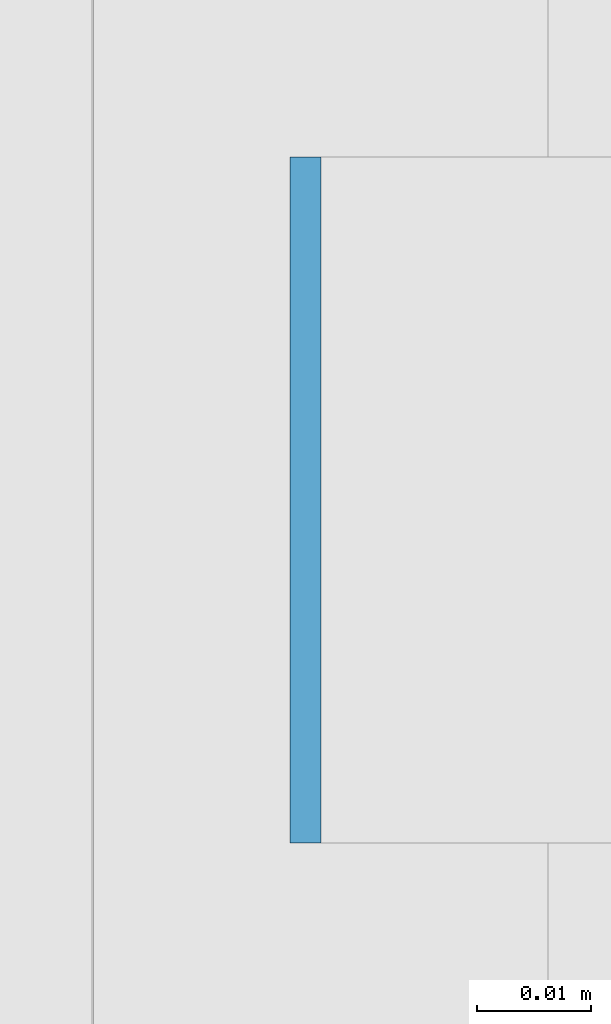
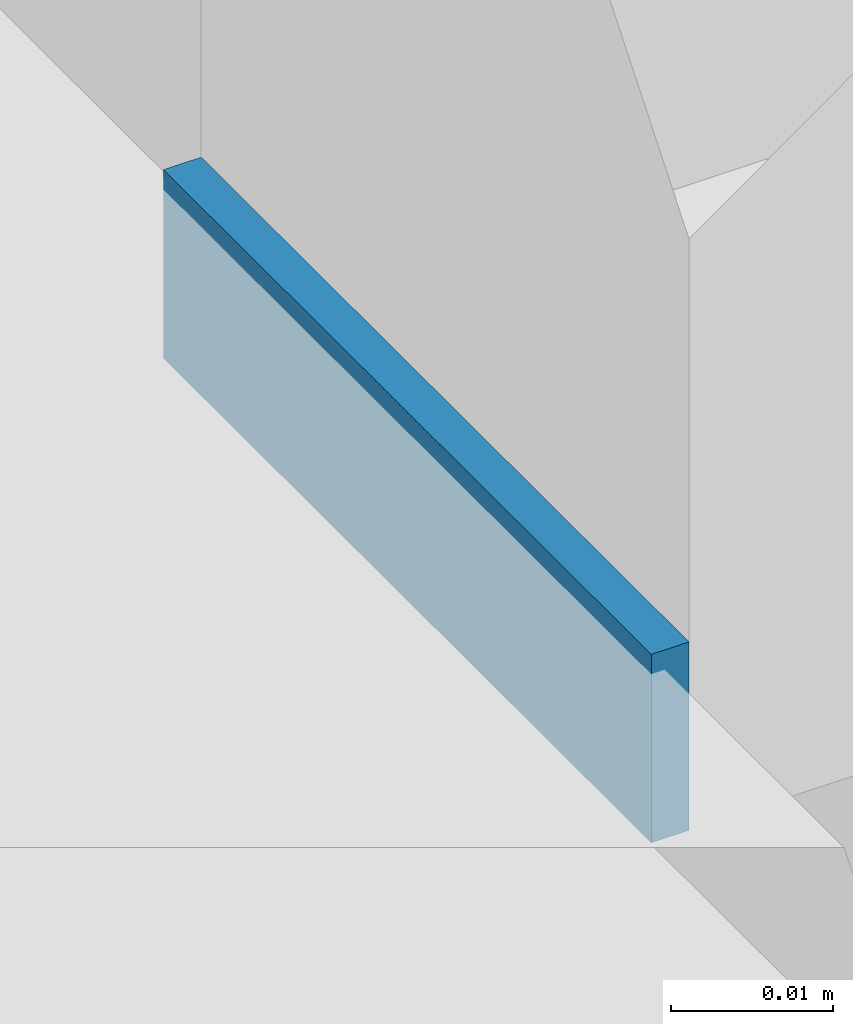
# One storey, part 514 of 646: 1 discrete accessory.
"""IFC4 building model written with IfcOpenShell, lengths in metres."""

from ifc_helpers import new_model, si_unit, direction, frame, origin, origin_2d, place, context, subcontext, project, spatial, rectangle, extrude, material, type_object, element, save


model = new_model("IFC4")

# Units and contexts
model_context = context("Model", 3, precision=1e-05, world=origin(), true_north=direction((0.0, 1.0)))
body_context = subcontext(model_context, "Body", "Model", "MODEL_VIEW")
ifc_project = project(units=[si_unit("LENGTHUNIT", "METRE"), si_unit("AREAUNIT", "SQUARE_METRE"), si_unit("VOLUMEUNIT", "CUBIC_METRE"), si_unit("PLANEANGLEUNIT", "RADIAN"), si_unit("MASSUNIT", "GRAM", prefix="KILO")], contexts=[model_context])

# Site, building, storey
site_placement = place(None, origin())
site = spatial("IfcSite", under=ifc_project, at=site_placement, CompositionType="ELEMENT")
building_placement = place(site_placement, origin())
building = spatial("IfcBuilding", under=site, at=building_placement, Name="Silverbay Arena", CompositionType="ELEMENT")
storey_placement = place(building_placement, frame((0.0, 0.0, 33.5)))
storey = spatial("IfcBuildingStorey", under=building, at=storey_placement, Name="L05", CompositionType="ELEMENT", Elevation=33.5)

# Discrete accessory
ifc_material = material(Name="Steel S355", Category="steel")
discrete_accessory_type = type_object("IfcDiscreteAccessoryType", Name="Steel bracket plate", PredefinedType="BRACKET", material=ifc_material)
discrete_accessory_placement = place(storey_placement, frame((207.128662109375, 74.571533203125, 4.0), z_axis=(0.0, 0.0, 1.0), x_axis=(1.0, 0.0, 0.0)))
element("IfcDiscreteAccessory", 1, at=discrete_accessory_placement, inside=storey, type_object=discrete_accessory_type, Name="Curtain wall packing plate", PredefinedType="BRACKET", context=body_context, shape_type="SweptSolid", body=[
    extrude(rectangle(XDim=0.002685546875, YDim=0.06005859375, at=origin_2d()), origin(), (0.0, 0.0, 1.0), 0.01416015625),
])

save(model, "model.ifc")
